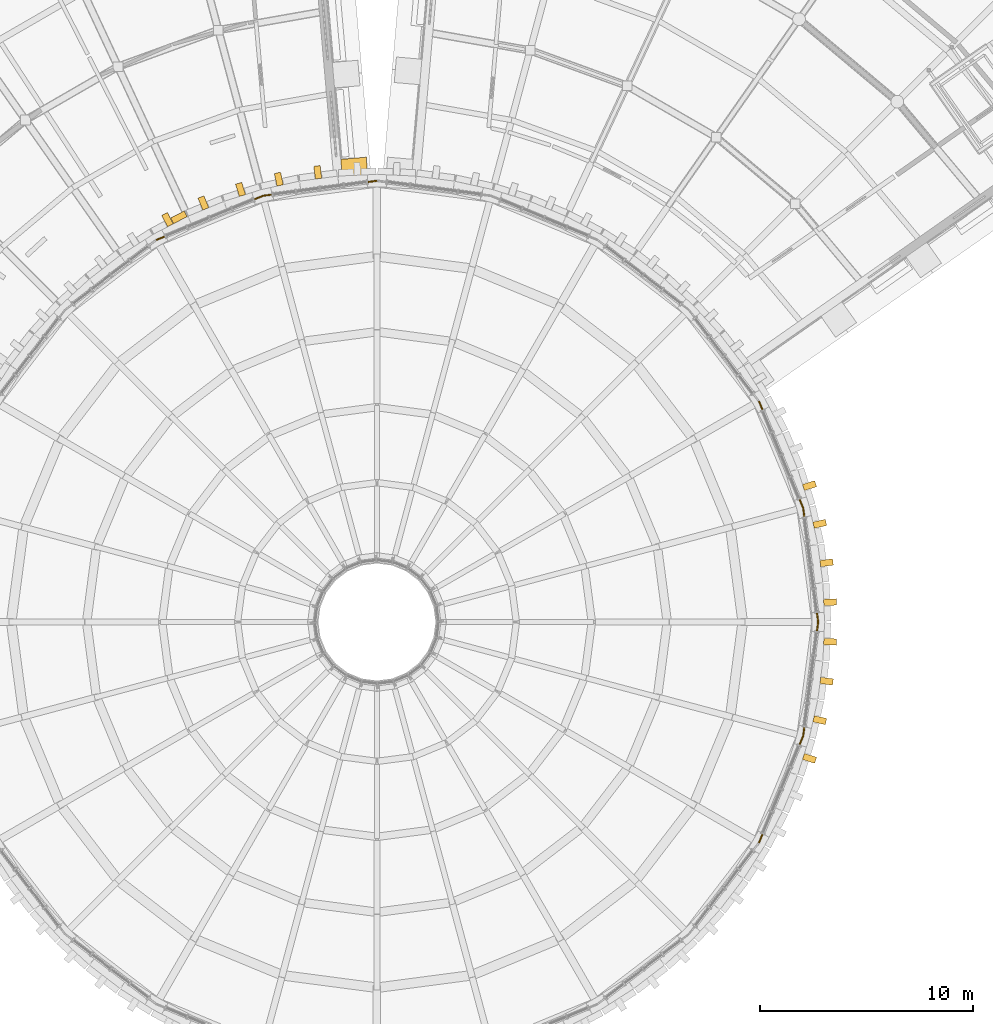
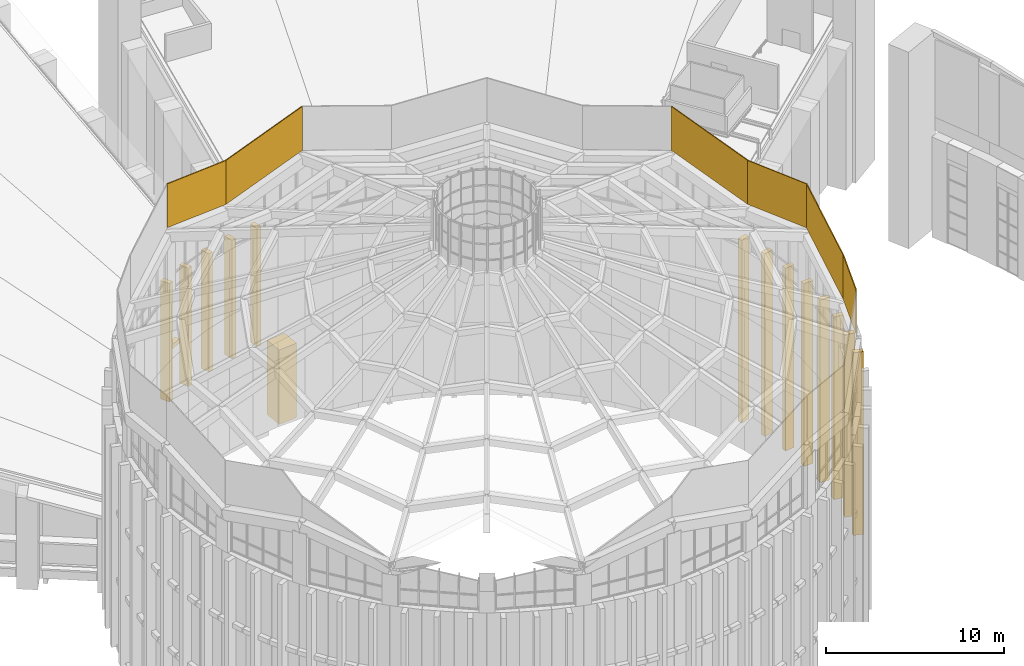
# One storey, part 68 of 82: 21 coverings.
"""IFC4 building model written with IfcOpenShell, lengths in metres."""

from ifc_helpers import new_model, si_unit, direction, frame, origin, origin_2d, place, context, subcontext, project, spatial, polyline, rectangle, outline, extrude, material, layer, layer_set, type_object, element, save


model = new_model("IFC4")

# Units and contexts
model_context = context("Model", 3, precision=1e-05, world=origin(), true_north=direction((0.0, 1.0)))
body_context = subcontext(model_context, "Body", "Model", "MODEL_VIEW")
ifc_project = project(units=[si_unit("LENGTHUNIT", "METRE"), si_unit("AREAUNIT", "SQUARE_METRE"), si_unit("VOLUMEUNIT", "CUBIC_METRE"), si_unit("PLANEANGLEUNIT", "RADIAN"), si_unit("MASSUNIT", "GRAM", prefix="KILO")], contexts=[model_context])

# Site, building, storey
site_placement = place(None, origin())
site = spatial("IfcSite", under=ifc_project, at=site_placement, CompositionType="ELEMENT")
building_placement = place(site_placement, origin())
building = spatial("IfcBuilding", under=site, at=building_placement, Name="Volute Hill Aquarium", CompositionType="ELEMENT")
storey_placement = place(building_placement, frame((0.0, 0.0, 13.800048828125)))
storey = spatial("IfcBuildingStorey", under=building, at=storey_placement, Name="L04", CompositionType="ELEMENT", Elevation=13.800048828125)

# Coverings
ifc_material_1 = material(Name="Precast pale concrete C40/50", Category="concrete")
covering_type_1 = type_object("IfcCoveringType", Name="Drum pier fin 300x600", PredefinedType="CLADDING", material=ifc_material_1)
for number, where, z_axis, x_axis, name in (
    (1, (21.260009765625, 0.92822265625, 1.199951171875), (0.0, 0.0, 1.0), (-0.043619387365, 0.999048221582, 0.0), "Drum pier fin DF 1 L04"),
    (2, (21.09814453125, 2.777587890625, 1.199951171875), (0.0, 0.0, 1.0), (-0.13052619222, 0.991444861374, 0.0), "Drum pier fin DF 2 L04"),
    (3, (20.77587890625, 4.60595703125, 1.199951171875), (0.0, 0.0, 1.0), (-0.216439613938, 0.97629600712, 0.0), "Drum pier fin DF 3 L04"),
    (4, (20.29541015625, 6.399169921875, 1.199951171875), (0.0, 0.0, 1.0), (-0.300705799504, 0.953716950748, 0.0), "Drum pier fin DF 4 L04"),
):
    element("IfcCovering", number, at=place(storey_placement, frame(where, z_axis=z_axis, x_axis=x_axis)), inside=storey, type_object=covering_type_1, Name=name, PredefinedType="CLADDING", context=body_context, shape_type="SweptSolid", body=[
        extrude(rectangle(XDim=0.300048828125, YDim=0.60009765625, at=origin_2d()), origin(), (0.0, 0.0, 1.0), 12.5),
    ])
for number, where, z_axis, x_axis, name in (
    (5, (-2.777587890625, 21.09814453125, 5.599853515625), (0.0, 0.0, 1.0), (-0.991444861374, -0.13052619222, 0.0), "Drum pier fin DF 20 L04"),
    (6, (-4.60595703125, 20.77587890625, 5.599853515625), (0.0, 0.0, 1.0), (-0.97629600712, -0.216439613938, 0.0), "Drum pier fin DF 21 L04"),
    (7, (-6.399169921875, 20.29541015625, 5.599853515625), (0.0, 0.0, 1.0), (-0.953716950748, -0.300705799504, 0.0), "Drum pier fin DF 22 L04"),
    (8, (-8.1435546875, 19.660400390625, 5.599853515625), (0.0, 0.0, 1.0), (-0.923879532511, -0.382683432365, 0.0), "Drum pier fin DF 23 L04"),
    (9, (-9.826171875, 18.8759765625, 5.599853515625), (0.0, 0.0, 1.0), (-0.887010833178, -0.461748613235, 0.0), "Drum pier fin DF 24 L04"),
):
    element("IfcCovering", number, at=place(storey_placement, frame(where, z_axis=z_axis, x_axis=x_axis)), inside=storey, type_object=covering_type_1, Name=name, PredefinedType="CLADDING", context=body_context, shape_type="SweptSolid", body=[
        extrude(rectangle(XDim=0.300048828125, YDim=0.60009765625, at=origin_2d()), origin(), (0.0, 0.0, 1.0), 8.10009765625),
    ])
for number, where, z_axis, x_axis, name in (
    (10, (20.29541015625, -6.399169921875, 1.199951171875), (0.0, 0.0, 1.0), (0.300705799504, 0.953716950748, 0.0), "Drum pier fin DF 69 L04"),
    (11, (20.77587890625, -4.60595703125, 1.199951171875), (0.0, 0.0, 1.0), (0.216439613938, 0.97629600712, 0.0), "Drum pier fin DF 70 L04"),
    (12, (21.09814453125, -2.777587890625, 1.199951171875), (0.0, 0.0, 1.0), (0.13052619222, 0.991444861374, 0.0), "Drum pier fin DF 71 L04"),
    (13, (21.260009765625, -0.92822265625, 1.199951171875), (0.0, 0.0, 1.0), (0.043619387365, 0.999048221582, 0.0), "Drum pier fin DF 72 L04"),
):
    element("IfcCovering", number, at=place(storey_placement, frame(where, z_axis=z_axis, x_axis=x_axis)), inside=storey, type_object=covering_type_1, Name=name, PredefinedType="CLADDING", context=body_context, shape_type="SweptSolid", body=[
        extrude(rectangle(XDim=0.300048828125, YDim=0.60009765625, at=origin_2d()), origin(), (0.0, 0.0, 1.0), 12.5),
    ])
ifc_material_2 = material(Name="Precast concrete C40/50", Category="concrete")
covering_type_2 = type_object("IfcCoveringType", Name="Drum string course precast concrete C40/50 715x300", PredefinedType="CLADDING", material=ifc_material_2)
covering_1_placement = place(storey_placement, frame((-9.2890625, 18.986328125, 9.0498046875), z_axis=(0.0, 0.0, 1.0), x_axis=(-0.887010833178, -0.461748613235, 0.0)))
element("IfcCovering", 14, at=covering_1_placement, inside=storey, type_object=covering_type_2, Name="Drum string course DSC 24.3", PredefinedType="CLADDING", context=body_context, shape_type="SweptSolid", body=[
    extrude(rectangle(XDim=0.71484375, YDim=0.300048828125, at=origin_2d()), origin(), (0.0, 0.0, 1.0), 0.300048828125),
])
ifc_material_3 = material(Name="Zinc")
ifc_layer = layer(ifc_material_3, 0.06005859375)
ifc_layer_set = layer_set([ifc_layer], Name="Eave fascia zinc 60")
covering_type_3 = type_object("IfcCoveringType", Name="Eave fascia zinc 60", PredefinedType="CLADDING", material=ifc_layer_set)
covering_2_placement = place(storey_placement, frame((20.729736328125, 0.00390625, 18.099853515625), z_axis=(0.991445528216, 0.130521126954, 0.0), x_axis=(-0.126350331942, 0.959763944084, -0.250776325148)))
element("IfcCovering", 15, at=covering_2_placement, inside=storey, type_object=covering_type_3, Name="Eave fascia EF 1", PredefinedType="CLADDING", context=body_context, shape_type="SweptSolid", body=[
    extrude(outline(polyline([(0.0, 0.0), (5.582274733959821, 2.220446049250313e-16), (4.829945758515269, 2.9041351746615636), (-0.7523289754445518, 2.9041351746615636), (0.0, 0.0)])), origin(), (0.0, 0.0, -1.0), 0.06005859375),
])
covering_3_placement = place(storey_placement, frame((20.0224609375, 5.369140625, 16.699951171875), z_axis=(0.923883575944, 0.382673670509, 0.0), x_axis=(-0.370444717355, 0.894359389043, 0.250782763791)))
element("IfcCovering", 16, at=covering_3_placement, inside=storey, type_object=covering_type_3, Name="Eave fascia EF 2", PredefinedType="CLADDING", context=body_context, shape_type="SweptSolid", body=[
    extrude(outline(polyline([(0.0, 0.0), (5.582131413601545, -2.220446049250313e-16), (6.334479704975858, 2.9041301707165523), (0.7523482913743128, 2.9041301707165523), (0.0, 0.0)])), origin(), (0.0, 0.0, -1.0), 0.06005859375),
])
covering_4_placement = place(storey_placement, frame((-0.00390625, 20.729736328125, 18.099853515625), z_axis=(-0.130521126954, 0.991445528216, 0.0), x_axis=(-0.959763944084, -0.126350331942, -0.250776325148)))
element("IfcCovering", 17, at=covering_4_placement, inside=storey, type_object=covering_type_3, Name="Eave fascia EF 7", PredefinedType="CLADDING", context=body_context, shape_type="SweptSolid", body=[
    extrude(outline(polyline([(0.0, 0.0), (5.582274733959821, 2.220446049250313e-16), (4.829945758515269, 2.9041351746615636), (-0.7523289754445518, 2.9041351746615636), (0.0, 0.0)])), origin(), (0.0, 0.0, -1.0), 0.06005859375),
])
covering_5_placement = place(storey_placement, frame((-5.369140625, 20.0224609375, 16.699951171875), z_axis=(-0.382673670509, 0.923883575944, 0.0), x_axis=(-0.894359389043, -0.370444717355, 0.250782763791)))
element("IfcCovering", 18, at=covering_5_placement, inside=storey, type_object=covering_type_3, Name="Eave fascia EF 8", PredefinedType="CLADDING", context=body_context, shape_type="SweptSolid", body=[
    extrude(outline(polyline([(0.0, 0.0), (5.582131413601545, -2.220446049250313e-16), (6.334479704975858, 2.9041301707165523), (0.7523482913743128, 2.9041301707165523), (0.0, 0.0)])), origin(), (0.0, 0.0, -1.0), 0.06005859375),
])
covering_6_placement = place(storey_placement, frame((17.95458984375, -10.361572265625, 18.099853515625), z_axis=(0.923883575944, -0.382673670509, 0.0), x_axis=(0.370444717355, 0.894359389043, -0.250782763791)))
element("IfcCovering", 19, at=covering_6_placement, inside=storey, type_object=covering_type_3, Name="Eave fascia EF 23", PredefinedType="CLADDING", context=body_context, shape_type="SweptSolid", body=[
    extrude(outline(polyline([(0.0, 0.0), (5.582131413601545, 2.220446049250313e-16), (4.829783122227233, 2.9041301707165523), (-0.7523482913743128, 2.9041301707165523), (0.0, 0.0)])), origin(), (0.0, 0.0, -1.0), 0.06005859375),
])
covering_7_placement = place(storey_placement, frame((20.0244140625, -5.361572265625, 16.699951171875), z_axis=(0.991445528216, -0.130521126954, 0.0), x_axis=(0.126350331942, 0.959763944084, 0.250776325148)))
element("IfcCovering", 20, at=covering_7_placement, inside=storey, type_object=covering_type_3, Name="Eave fascia EF 24", PredefinedType="CLADDING", context=body_context, shape_type="SweptSolid", body=[
    extrude(outline(polyline([(0.0, 0.0), (5.582274733959821, -2.220446049250313e-16), (6.334603709404373, 2.9041351746615636), (0.7523289754445518, 2.9041351746615636), (0.0, 0.0)])), origin(), (0.0, 0.0, -1.0), 0.06005859375),
])
ifc_material_4 = material(Name="Precast concrete C40/50", Category="concrete")
covering_type_4 = type_object("IfcCoveringType", Name="End wall precast fin C40/50 1200x1200", PredefinedType="CLADDING", material=ifc_material_4)
covering_8_placement = place(storey_placement, frame((-1.048095703125, 21.1591796875, 0.0), z_axis=(0.0, 0.0, 1.0), x_axis=(-0.08715511842, 0.996194752713, 0.0)))
element("IfcCovering", 21, at=covering_8_placement, inside=storey, type_object=covering_type_4, Name="End wall fin EWF S6A L04 1", PredefinedType="CLADDING", context=body_context, shape_type="SweptSolid", body=[
    extrude(rectangle(XDim=1.199951171875, YDim=1.199951171875, at=origin_2d()), origin(), (0.0, 0.0, 1.0), 5.08544921875),
])

save(model, "model.ifc")
